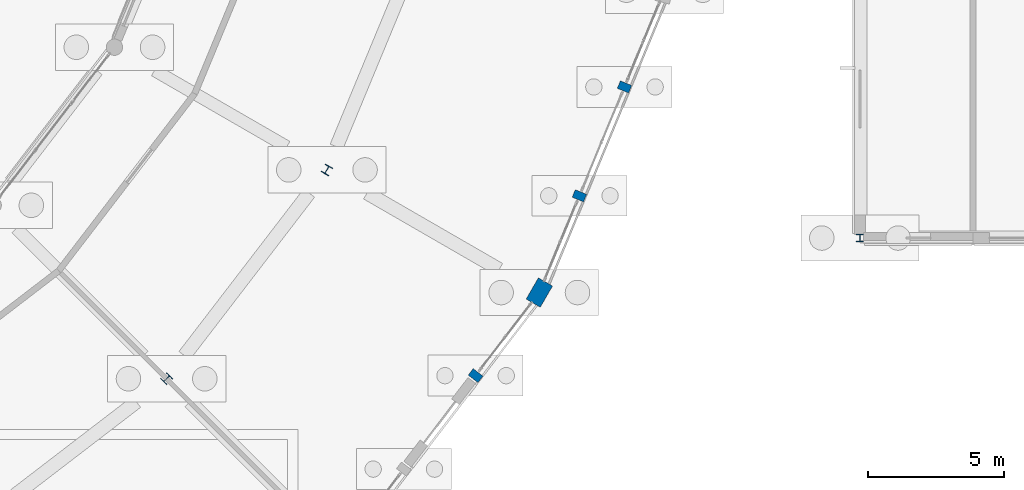
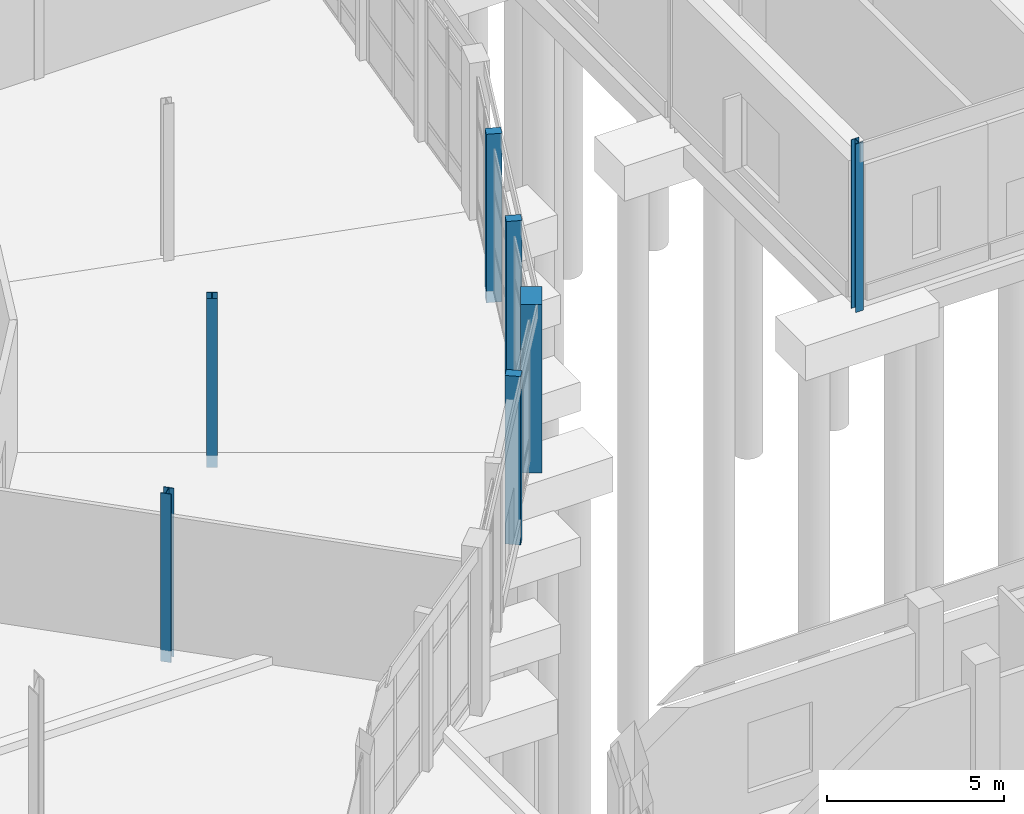
# One storey, part 20 of 137: 7 columns.
"""IFC4 building model written with IfcOpenShell, lengths in metres."""

from ifc_helpers import new_model, si_unit, direction, frame, origin, origin_2d, place, context, subcontext, project, spatial, rectangle, i_section, extrude, material, material_profile, profile_set, type_object, element, save


model = new_model("IFC4")

# Units and contexts
model_context = context("Model", 3, precision=1e-05, world=origin(), true_north=direction((0.0, 1.0)))
body_context = subcontext(model_context, "Body", "Model", "MODEL_VIEW")
ifc_project = project(units=[si_unit("LENGTHUNIT", "METRE"), si_unit("AREAUNIT", "SQUARE_METRE"), si_unit("VOLUMEUNIT", "CUBIC_METRE"), si_unit("PLANEANGLEUNIT", "RADIAN"), si_unit("MASSUNIT", "GRAM", prefix="KILO")], contexts=[model_context])

# Site, building, storey
site_placement = place(None, origin())
site = spatial("IfcSite", under=ifc_project, at=site_placement, CompositionType="ELEMENT")
building_placement = place(site_placement, origin())
building = spatial("IfcBuilding", under=site, at=building_placement, Name="Vondelvale Polytechnic", CompositionType="ELEMENT")
storey_placement = place(building_placement, origin())
storey = spatial("IfcBuildingStorey", under=building, at=storey_placement, Name="L00", CompositionType="ELEMENT", Elevation=0.0)

# Columns
ifc_material_1 = material(Name="Glulam GL18 structural Tasmanian oak (fb = 42 MPa)", Category="wood")
ifc_material_profile_1 = material_profile(ifc_material_1, rectangle(XDim=0.300048828125, YDim=0.449951171875, at=origin_2d()), Name="GL-POST-300x450")
ifc_profile_set_1 = profile_set([ifc_material_profile_1], Name="Glulam GL18 structural Tasmanian oak (fb = 42 MPa)")
column_type_1 = type_object("IfcColumnType", Name="COL-GLULAM-300x450", PredefinedType="PILASTER", material=ifc_profile_set_1)
for number, where, z_axis, x_axis, name in (
    (1, (139.497802734375, 45.951416015625, -0.39990234375), (0.0, 0.0, 1.0), (0.608761429009, 0.793353340291, 0.0), "L00 ring outer glulam timber post C21-P2"),
    (2, (143.3076171875, 52.55029296875, -0.39990234375), (0.0, 0.0, 1.0), (0.382683432365, 0.923879532511, 0.0), "L00 ring outer glulam timber post C22-P1"),
    (3, (144.962158203125, 56.544189453125, -0.39990234375), (0.0, 0.0, 1.0), (0.382683432365, 0.923879532511, 0.0), "L00 ring outer glulam timber post C22-P2"),
):
    element("IfcColumn", number, at=place(storey_placement, frame(where, z_axis=z_axis, x_axis=x_axis)), inside=storey, type_object=column_type_1, Name=name, PredefinedType="PILASTER", context=body_context, shape_type="SweptSolid", body=[
        extrude(rectangle(XDim=0.300048828125, YDim=0.449951171875, at=origin_2d()), origin(), (0.0, 0.0, 1.0), 5.7998046875),
    ])
ifc_material_2 = material(Name="Concrete N50 (f'c = 50 MPa)", Category="concrete")
ifc_material_profile_2 = material_profile(ifc_material_2, rectangle(XDim=0.60009765625, YDim=0.89990234375, at=origin_2d()), Name="RC-COL-900x600")
ifc_profile_set_2 = profile_set([ifc_material_profile_2], Name="Concrete N50 (f'c = 50 MPa)")
column_type_2 = type_object("IfcColumnType", Name="COL-RC900x600", PredefinedType="COLUMN", material=ifc_profile_set_2)
column_1_placement = place(storey_placement, frame((141.837158203125, 49.0, -0.39990234375), z_axis=(0.0, 0.0, 1.0), x_axis=(-0.866025403784, 0.5, 0.0)))
element("IfcColumn", 4, at=column_1_placement, inside=storey, type_object=column_type_2, Name="L00 courtyard ring column S22-RO", PredefinedType="COLUMN", context=body_context, shape_type="SweptSolid", body=[
    extrude(rectangle(XDim=0.60009765625, YDim=0.89990234375, at=origin_2d()), origin(), (0.0, 0.0, 1.0), 5.7998046875),
])
ifc_material_3 = material(Name="Steel 300PLUS (fy = 300 MPa)", Category="steel")
ifc_material_profile_3 = material_profile(ifc_material_3, i_section(OverallWidth=0.256103515625, OverallDepth=0.260009765625, WebThickness=0.010498046875, FlangeThickness=0.017333984375, FilletRadius=0.013916015625, at=origin_2d()), Name="250UC89.5")
ifc_profile_set_3 = profile_set([ifc_material_profile_3], Name="Steel 300PLUS (fy = 300 MPa)")
column_type_3 = type_object("IfcColumnType", Name="COL-UC250", PredefinedType="COLUMN", material=ifc_profile_set_3)
column_2_placement = place(storey_placement, frame((153.60009765625, 51.0, -0.39990234375), z_axis=(0.0, 0.0, 1.0), x_axis=(1.0, 0.0, 0.0)))
element("IfcColumn", 5, at=column_2_placement, inside=storey, type_object=column_type_3, Name="L00 East pavilion column (153.6,51.0)", PredefinedType="COLUMN", context=body_context, shape_type="SweptSolid", body=[
    extrude(i_section(OverallWidth=0.256103515625, OverallDepth=0.260009765625, WebThickness=0.010498046875, FlangeThickness=0.017333984375, FilletRadius=0.013916015625, at=origin_2d()), origin(), (0.0, 0.0, 1.0), 5.7998046875),
])
ifc_material_profile_4 = material_profile(ifc_material_3, i_section(OverallWidth=0.30908203125, OverallDepth=0.321044921875, WebThickness=0.013916015625, FlangeThickness=0.021728515625, FilletRadius=0.0166015625, at=origin_2d()), Name="310UC137")
ifc_profile_set_4 = profile_set([ifc_material_profile_4], Name="Steel 300PLUS (fy = 300 MPa)")
column_type_4 = type_object("IfcColumnType", Name="COL-UC310M", PredefinedType="COLUMN", material=ifc_profile_set_4)
for number, where, z_axis, x_axis, name in (
    (6, (128.1630859375, 45.8369140625, -0.39990234375), (0.0, 0.0, 1.0), (-0.707106781187, 0.707106781187, 0.0), "L00 courtyard ring column S21-RM"),
    (7, (134.04296875, 53.5, -0.39990234375), (0.0, 0.0, 1.0), (-0.866025403784, 0.5, 0.0), "L00 courtyard ring column S22-RM"),
):
    element("IfcColumn", number, at=place(storey_placement, frame(where, z_axis=z_axis, x_axis=x_axis)), inside=storey, type_object=column_type_4, Name=name, PredefinedType="COLUMN", context=body_context, shape_type="SweptSolid", body=[
        extrude(i_section(OverallWidth=0.30908203125, OverallDepth=0.321044921875, WebThickness=0.013916015625, FlangeThickness=0.021728515625, FilletRadius=0.0166015625, at=origin_2d()), origin(), (0.0, 0.0, 1.0), 5.7998046875),
    ])

save(model, "model.ifc")
